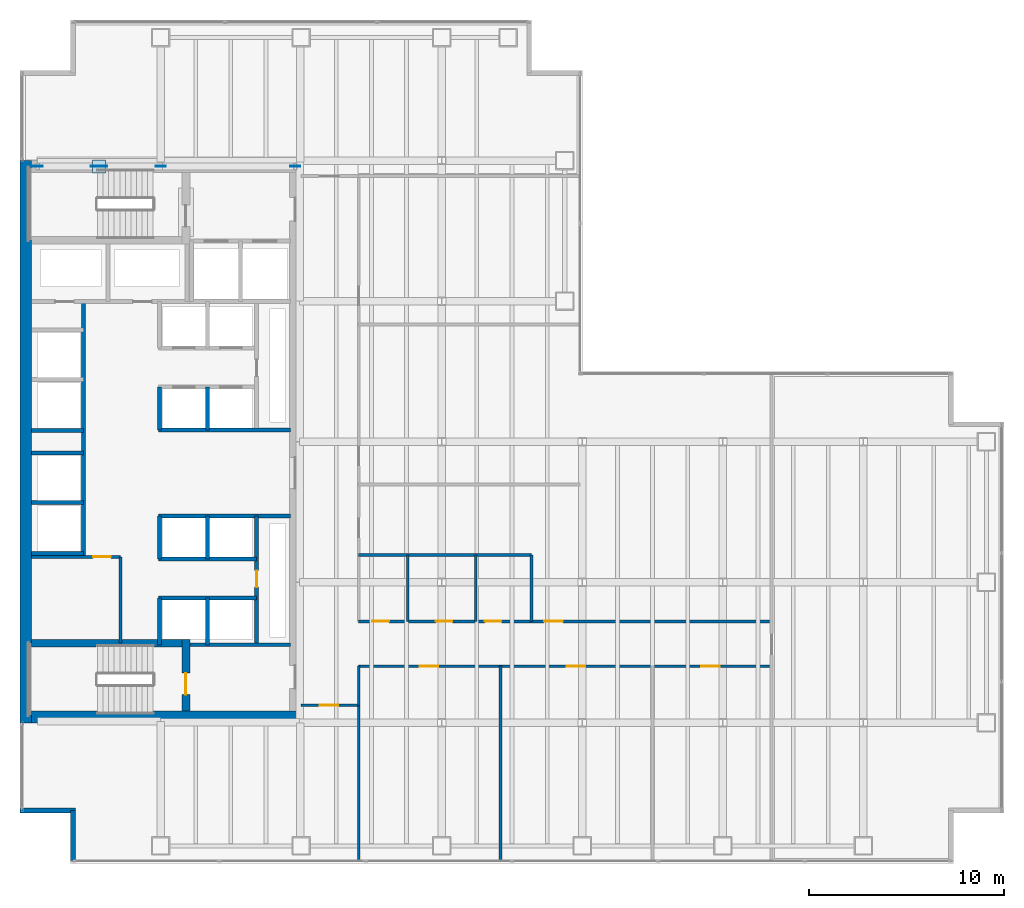
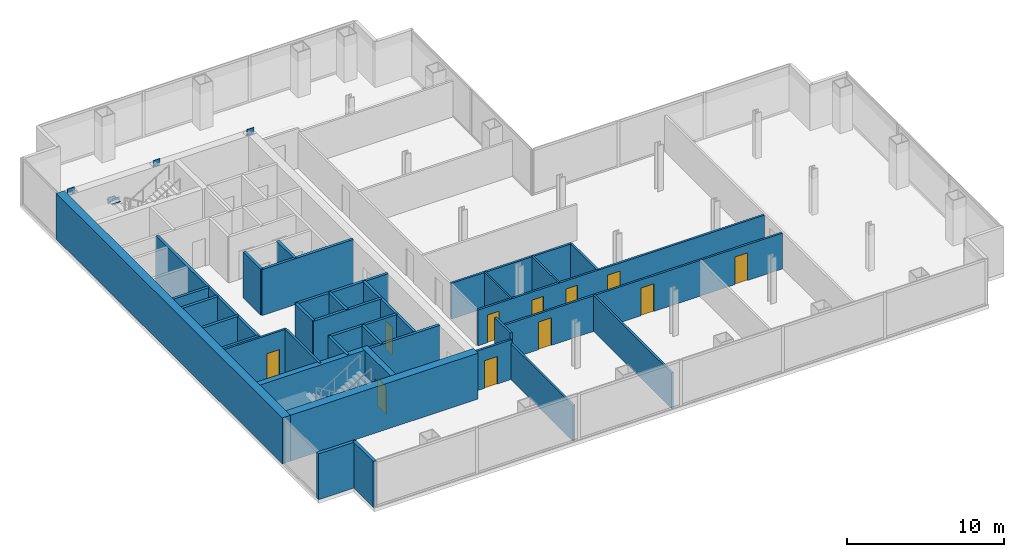
# One storey, part 20 of 24: 35 walls, 11 doors, 6 plates, 11 openings.
"""IFC4 building model written with IfcOpenShell, lengths in metres."""

from ifc_helpers import new_model, si_unit, direction, frame, frame_2d, origin, origin_2d, place, context, subcontext, project, spatial, rectangle, extrude, material, layer, layer_set, type_object, element, fill, save


model = new_model("IFC4")

# Units and contexts
model_context = context("Model", 3, precision=1e-05, world=origin(), true_north=direction((0.0, 1.0)))
body_context = subcontext(model_context, "Body", "Model", "MODEL_VIEW")
ifc_project = project(units=[si_unit("LENGTHUNIT", "METRE"), si_unit("AREAUNIT", "SQUARE_METRE"), si_unit("VOLUMEUNIT", "CUBIC_METRE"), si_unit("PLANEANGLEUNIT", "RADIAN"), si_unit("MASSUNIT", "GRAM", prefix="KILO")], contexts=[model_context])

# Site, building, storey
site_placement = place(None, origin())
site = spatial("IfcSite", under=ifc_project, at=site_placement, CompositionType="ELEMENT")
building_placement = place(site_placement, origin())
building = spatial("IfcBuilding", under=site, at=building_placement, Name="Cobrela Telecom Tower", CompositionType="ELEMENT")
storey_placement = place(building_placement, frame((0.0, 0.0, 85.050048828125)))
storey = spatial("IfcBuildingStorey", under=building, at=storey_placement, Name="L21", CompositionType="ELEMENT", Elevation=85.050048828125)

# Plates
ifc_material_1 = material(Name="Steel ASTM A572 Grade 50", Category="steel")
ifc_layer_1 = layer(ifc_material_1, 0.0419921875)
ifc_layer_set_1 = layer_set([ifc_layer_1], Name="Steel ASTM A572 Grade 50")
plate_type = type_object("IfcPlateType", Name="PLT-NODE-ND1", PredefinedType="USERDEFINED", material=ifc_layer_set_1)
for number, where, z_axis, x_axis, name in (
    (1, (7.199951171875, 35.699951171875, 3.35498046875), (0.0, 0.0, 1.0), (1.0, 0.0, 0.0), "Steel node plate PLT-MBR-EXO-L21-N1-A-1"),
    (2, (4.219482421875, 35.699951171875, 1.431640625), (0.0, 0.0, 1.0), (-1.0, 0.0, 0.0), "Steel node plate PLT-MBR-EXO-L21-N1-B1-1"),
    (3, (3.88037109375, 35.699951171875, 1.62841796875), (0.0, 0.0, 1.0), (-1.0, 0.0, 0.0), "Steel node plate PLT-MBR-EXO-L21-N1-B2-0"),
    (4, (0.89990234375, 35.699951171875, 3.35498046875), (0.0, 0.0, 1.0), (-1.0, 0.0, 0.0), "Steel node plate PLT-MBR-EXO-L21-N1-B2-1"),
):
    element("IfcPlate", number, at=place(storey_placement, frame(where, z_axis=z_axis, x_axis=x_axis)), inside=storey, type_object=plate_type, Name=name, ObjectType="GUSSET PLATE", PredefinedType="USERDEFINED", context=body_context, shape_type="SweptSolid", body=[
        extrude(rectangle(XDim=0.510009765625, YDim=0.044921875, at=origin_2d()), origin(), (0.0, 0.0, 1.0), 0.510009765625),
    ])
plate_1_placement = place(storey_placement, frame((4.050048828125, 35.699951171875, 1.762451171875), z_axis=(0.0, 0.0, 1.0), x_axis=(1.0, 0.0, 0.0)))
element("IfcPlate", 5, at=plate_1_placement, inside=storey, type_object=plate_type, Name="L21 Core Flange Steel X-Brace Central X-Crossing Gusset Plate", ObjectType="GUSSET PLATE", PredefinedType="USERDEFINED", context=body_context, shape_type="SweptSolid", body=[
    extrude(rectangle(XDim=0.64990234375, YDim=0.64990234375, at=origin_2d()), origin(), (0.0, 0.0, 1.0), 0.044921875),
])
plate_2_placement = place(storey_placement, frame((14.10009765625, 35.699951171875, 3.35498046875), z_axis=(0.0, 0.0, 1.0), x_axis=(1.0, 0.0, 0.0)))
element("IfcPlate", 6, at=plate_2_placement, inside=storey, type_object=plate_type, Name="Steel node plate PLT-MBR-EXO-L21-N2-1", ObjectType="GUSSET PLATE", PredefinedType="USERDEFINED", context=body_context, shape_type="SweptSolid", body=[
    extrude(rectangle(XDim=0.510009765625, YDim=0.044921875, at=origin_2d()), origin(), (0.0, 0.0, 1.0), 0.510009765625),
])

# Walls
ifc_material_2 = material(Name="Concrete C50/60", Category="concrete")
ifc_layer_2 = layer(ifc_material_2, 0.60009765625)
ifc_layer_set_2 = layer_set([ifc_layer_2], Name="Concrete C50/60")
wall_type_1 = type_object("IfcWallType", Name="WALL-CORE-C50-600", PredefinedType="SHEAR", material=ifc_layer_set_2)
wall_1_placement = place(storey_placement, frame((0.300048828125, 7.199951171875, 0.0), z_axis=(0.0, 0.0, 1.0), x_axis=(0.0, 1.0, 0.0)))
element("IfcWall", 7, at=wall_1_placement, inside=storey, type_object=wall_type_1, Name="L21 West Core Shear Wall", PredefinedType="SHEAR", context=body_context, shape_type="SweptSolid", body=[
    extrude(rectangle(XDim=28.800048828125, YDim=0.60009765625, at=frame_2d((14.39990234375, 0.0))), origin(), (0.0, 0.0, 1.0), 3.570068359375),
])
wall_2_placement = place(storey_placement, frame((0.60009765625, 7.5, 0.0), z_axis=(0.0, 0.0, 1.0), x_axis=(1.0, 0.0, 0.0)))
element("IfcWall", 8, at=wall_2_placement, inside=storey, type_object=wall_type_1, Name="L21 South Core Shear Wall", PredefinedType="SHEAR", context=body_context, shape_type="SweptSolid", body=[
    extrude(rectangle(XDim=13.7998046875, YDim=0.60009765625, at=frame_2d((6.89990234375, 0.0))), origin(), (0.0, 0.0, 1.0), 3.570068359375),
])
ifc_material_3 = material(Name="Concrete C40/50", Category="concrete")
ifc_layer_3 = layer(ifc_material_3, 0.239990234375)
ifc_layer_set_3 = layer_set([ifc_layer_3], Name="Concrete C40/50")
wall_type_2 = type_object("IfcWallType", Name="WALL-EXT-300", PredefinedType="STANDARD", material=ifc_layer_set_3)
wall_3_placement = place(storey_placement, frame((2.7099609375, 0.1201171875, 0.0), z_axis=(0.0, 0.0, 1.0), x_axis=(0.0, 1.0, 0.0)))
element("IfcWall", 9, at=wall_3_placement, inside=storey, type_object=wall_type_2, Name="L21 Insulated Facade Wall 01", PredefinedType="STANDARD", context=body_context, shape_type="SweptSolid", body=[
    extrude(rectangle(XDim=2.58984375, YDim=0.239990234375, at=frame_2d((1.294921875, 0.0))), origin(), (0.0, 0.0, 1.0), 3.570068359375),
])
wall_4_placement = place(storey_placement, frame((2.830078125, 2.7099609375, 0.0), z_axis=(0.0, 0.0, 1.0), x_axis=(-1.0, 0.0, 0.0)))
element("IfcWall", 10, at=wall_4_placement, inside=storey, type_object=wall_type_2, Name="L21 Insulated Facade Wall 02", PredefinedType="STANDARD", context=body_context, shape_type="SweptSolid", body=[
    extrude(rectangle(XDim=2.830078125, YDim=0.239990234375, at=frame_2d((1.4150390625, 0.0))), origin(), (0.0, 0.0, 1.0), 3.570068359375),
])
ifc_material_4 = material(Name="Fire-Rated Gypsum Plasterboard")
ifc_layer_4 = layer(ifc_material_4, 0.125)
ifc_layer_set_4 = layer_set([ifc_layer_4], Name="Fire-Rated Gypsum Plasterboard")
wall_type_3 = type_object("IfcWallType", Name="WALL-PART-125", PredefinedType="PARTITIONING", material=ifc_layer_set_4)
for number, where, z_axis, x_axis, name in (
    (11, (19.85009765625, 12.39990234375, 0.0), (0.0, 0.0, 1.0), (0.0, 1.0, 0.0), "L21 Interior Partition W-WCV-1"),
    (12, (23.35009765625, 12.39990234375, 0.0), (0.0, 0.0, 1.0), (0.0, 1.0, 0.0), "L21 Interior Partition W-WCV-2"),
):
    element("IfcWall", number, at=place(storey_placement, frame(where, z_axis=z_axis, x_axis=x_axis)), inside=storey, type_object=wall_type_3, Name=name, PredefinedType="PARTITIONING", context=body_context, shape_type="SweptSolid", body=[
        extrude(rectangle(XDim=3.400146484375, YDim=0.125, at=frame_2d((1.7001953125, 0.0))), origin(), (0.0, 0.0, 1.0), 2.782958984375),
    ])

# Wall, opening, door
ifc_layer_5 = layer(ifc_material_4, 0.14990234375)
ifc_layer_set_5 = layer_set([ifc_layer_5], Name="Fire-Rated Gypsum Plasterboard")
wall_type_4 = type_object("IfcWallType", Name="WALL-PART-150", PredefinedType="PARTITIONING", material=ifc_layer_set_5)
wall_5_placement = place(storey_placement, frame((0.60009765625, 15.699951171875, 0.0), z_axis=(0.0, 0.0, 1.0), x_axis=(1.0, 0.0, 0.0)))
wall_5 = element("IfcWall", 13, at=wall_5_placement, inside=storey, type_object=wall_type_4, Name="L21 Interior Partition CW-FLEX-N", PredefinedType="PARTITIONING", context=body_context, shape_type="SweptSolid", body=[
    extrude(rectangle(XDim=4.5498046875, YDim=0.14990234375, at=frame_2d((2.27490234375, 0.0))), origin(), (0.0, 0.0, 1.0), 3.570068359375),
])
opening_1_placement = place(wall_5_placement, frame((3.14990234375, 0.0, 0.0)))
opening_1 = element("IfcOpeningElement", 14, at=opening_1_placement, cuts=wall_5, Name="Opening DR-41", PredefinedType="OPENING", context=body_context, shape_type="SweptSolid", body=[
    extrude(rectangle(XDim=0.89990234375, YDim=2.14990234375, at=frame_2d((0.449951171875, 1.074951171875))), frame((0.0, 0.0869140625, 0.0), z_axis=(0.0, -1.0, 0.0), x_axis=(1.0, 0.0, 0.0)), (0.0, 0.0, 1.0), 0.173828125),
])
ifc_material_5 = material(Name="Solid Engineered Oak Timber", Category="wood")
door_type_1 = type_object("IfcDoorType", Name="DOOR-INT-900", OperationType="SINGLE_SWING_LEFT", PredefinedType="DOOR", material=ifc_material_5)
door_1_placement = place(opening_1_placement, origin())
door_1 = element("IfcDoor", 15, at=door_1_placement, inside=storey, type_object=door_type_1, Name="L21 Door DR-41", OperationType="SINGLE_SWING_LEFT", OverallHeight=2.14990234375, OverallWidth=0.89990234375, PredefinedType="DOOR", context=body_context, shape_type="SweptSolid", body=[
    extrude(rectangle(XDim=0.89990234375, YDim=2.14990234375, at=frame_2d((0.449951171875, 1.074951171875))), frame((0.0, 0.02490234375, 0.0), z_axis=(0.0, -1.0, 0.0), x_axis=(1.0, 0.0, 0.0)), (0.0, 0.0, 1.0), 0.050048828125),
])
fill(opening_1, door_1)

# Wall
wall_6_placement = place(storey_placement, frame((5.14990234375, 11.280029296875, 0.0), z_axis=(0.0, 0.0, 1.0), x_axis=(0.0, 1.0, 0.0)))
element("IfcWall", 16, at=wall_6_placement, inside=storey, type_object=wall_type_4, Name="L21 Interior Partition CW-FLEX-E", PredefinedType="PARTITIONING", context=body_context, shape_type="SweptSolid", body=[
    extrude(rectangle(XDim=4.419921875, YDim=0.14990234375, at=frame_2d((2.2099609375, 0.0))), origin(), (0.0, 0.0, 1.0), 3.570068359375),
])

# Wall, opening, door
wall_7_placement = place(storey_placement, frame((14.39990234375, 8.10009765625, 0.0), z_axis=(0.0, 0.0, 1.0), x_axis=(1.0, 0.0, 0.0)))
wall_7 = element("IfcWall", 17, at=wall_7_placement, inside=storey, type_object=wall_type_4, Name="L21 Interior Partition W-C-S0", PredefinedType="PARTITIONING", context=body_context, shape_type="SweptSolid", body=[
    extrude(rectangle(XDim=2.9501953125, YDim=0.14990234375, at=frame_2d((1.47509765625, 0.0))), origin(), (0.0, 0.0, 1.0), 3.087890625),
])
opening_2_placement = place(wall_7_placement, frame((0.949951171875, 0.0, 0.0)))
opening_2 = element("IfcOpeningElement", 18, at=opening_2_placement, cuts=wall_7, Name="Opening DR-67", PredefinedType="OPENING", context=body_context, shape_type="SweptSolid", body=[
    extrude(rectangle(XDim=0.949951171875, YDim=2.14990234375, at=frame_2d((0.47509765625, 1.074951171875))), frame((0.0, 0.0869140625, 0.0), z_axis=(0.0, -1.0, 0.0), x_axis=(1.0, 0.0, 0.0)), (0.0, 0.0, 1.0), 0.173828125),
])
door_type_2 = type_object("IfcDoorType", Name="DOOR-INT-950", OperationType="SINGLE_SWING_LEFT", PredefinedType="DOOR", material=ifc_material_5)
door_2_placement = place(opening_2_placement, origin())
door_2 = element("IfcDoor", 19, at=door_2_placement, inside=storey, type_object=door_type_2, Name="L21 Door DR-67", OperationType="SINGLE_SWING_RIGHT", OverallHeight=2.14990234375, OverallWidth=0.949951171875, PredefinedType="DOOR", context=body_context, shape_type="SweptSolid", body=[
    extrude(rectangle(XDim=0.949951171875, YDim=2.14990234375, at=frame_2d((0.47509765625, 1.074951171875))), frame((0.0, 0.02490234375, 0.0), z_axis=(0.0, -1.0, 0.0), x_axis=(1.0, 0.0, 0.0)), (0.0, 0.0, 1.0), 0.050048828125),
])
fill(opening_2, door_2)

# Wall
wall_8_placement = place(storey_placement, frame((17.35009765625, 8.10009765625, 0.0), z_axis=(0.0, 0.0, 1.0), x_axis=(0.0, 1.0, 0.0)))
element("IfcWall", 20, at=wall_8_placement, inside=storey, type_object=wall_type_4, Name="L21 Interior Partition W-C-E1", PredefinedType="PARTITIONING", context=body_context, shape_type="SweptSolid", body=[
    extrude(rectangle(XDim=2.0, YDim=0.14990234375, at=frame_2d((1.0, 0.0))), origin(), (0.0, 0.0, 1.0), 3.570068359375),
])

# Wall, openings, doors
wall_9_placement = place(storey_placement, frame((17.35009765625, 10.10009765625, 0.0), z_axis=(0.0, 0.0, 1.0), x_axis=(1.0, 0.0, 0.0)))
wall_9 = element("IfcWall", 21, at=wall_9_placement, inside=storey, type_object=wall_type_4, Name="L21 Interior Partition W-C-HS", PredefinedType="PARTITIONING", context=body_context, shape_type="SweptSolid", body=[
    extrude(rectangle(XDim=21.0498046875, YDim=0.14990234375, at=frame_2d((10.52490234375, 0.0))), origin(), (0.0, 0.0, 1.0), 2.782958984375),
])
opening_3_placement = place(wall_9_placement, frame((3.1201171875, 0.0, 0.0)))
opening_3 = element("IfcOpeningElement", 22, at=opening_3_placement, cuts=wall_9, Name="Opening DR-67", PredefinedType="OPENING", context=body_context, shape_type="SweptSolid", body=[
    extrude(rectangle(XDim=0.949951171875, YDim=2.14990234375, at=frame_2d((0.47509765625, 1.074951171875))), frame((0.0, 0.0869140625, 0.0), z_axis=(0.0, -1.0, 0.0), x_axis=(1.0, 0.0, 0.0)), (0.0, 0.0, 1.0), 0.173828125),
])
opening_4_placement = place(wall_9_placement, frame((10.64990234375, 0.0, 0.0)))
opening_4 = element("IfcOpeningElement", 23, at=opening_4_placement, cuts=wall_9, Name="Opening DR-67", PredefinedType="OPENING", context=body_context, shape_type="SweptSolid", body=[
    extrude(rectangle(XDim=0.949951171875, YDim=2.14990234375, at=frame_2d((0.47509765625, 1.074951171875))), frame((0.0, 0.0869140625, 0.0), z_axis=(0.0, -1.0, 0.0), x_axis=(1.0, 0.0, 0.0)), (0.0, 0.0, 1.0), 0.173828125),
])
opening_5_placement = place(wall_9_placement, frame((17.550048828125, 0.0, 0.0)))
opening_5 = element("IfcOpeningElement", 24, at=opening_5_placement, cuts=wall_9, Name="Opening DR-67", PredefinedType="OPENING", context=body_context, shape_type="SweptSolid", body=[
    extrude(rectangle(XDim=0.949951171875, YDim=2.14990234375, at=frame_2d((0.47509765625, 1.074951171875))), frame((0.0, 0.0869140625, 0.0), z_axis=(0.0, -1.0, 0.0), x_axis=(1.0, 0.0, 0.0)), (0.0, 0.0, 1.0), 0.173828125),
])
door_3_placement = place(opening_3_placement, origin())
door_3 = element("IfcDoor", 25, at=door_3_placement, inside=storey, type_object=door_type_2, Name="L21 Door DR-67", OperationType="SINGLE_SWING_LEFT", OverallHeight=2.14990234375, OverallWidth=0.949951171875, PredefinedType="DOOR", context=body_context, shape_type="SweptSolid", body=[
    extrude(rectangle(XDim=0.949951171875, YDim=2.14990234375, at=frame_2d((0.47509765625, 1.074951171875))), frame((0.0, 0.02490234375, 0.0), z_axis=(0.0, -1.0, 0.0), x_axis=(1.0, 0.0, 0.0)), (0.0, 0.0, 1.0), 0.050048828125),
])
fill(opening_3, door_3)
door_4_placement = place(opening_4_placement, origin())
door_4 = element("IfcDoor", 26, at=door_4_placement, inside=storey, type_object=door_type_2, Name="L21 Door DR-67", OperationType="SINGLE_SWING_RIGHT", OverallHeight=2.14990234375, OverallWidth=0.949951171875, PredefinedType="DOOR", context=body_context, shape_type="SweptSolid", body=[
    extrude(rectangle(XDim=0.949951171875, YDim=2.14990234375, at=frame_2d((0.47509765625, 1.074951171875))), frame((0.0, 0.02490234375, 0.0), z_axis=(0.0, -1.0, 0.0), x_axis=(1.0, 0.0, 0.0)), (0.0, 0.0, 1.0), 0.050048828125),
])
fill(opening_4, door_4)
door_5_placement = place(opening_5_placement, origin())
door_5 = element("IfcDoor", 27, at=door_5_placement, inside=storey, type_object=door_type_2, Name="L21 Door DR-67", OperationType="SINGLE_SWING_LEFT", OverallHeight=2.14990234375, OverallWidth=0.949951171875, PredefinedType="DOOR", context=body_context, shape_type="SweptSolid", body=[
    extrude(rectangle(XDim=0.949951171875, YDim=2.14990234375, at=frame_2d((0.47509765625, 1.074951171875))), frame((0.0, 0.02490234375, 0.0), z_axis=(0.0, -1.0, 0.0), x_axis=(1.0, 0.0, 0.0)), (0.0, 0.0, 1.0), 0.050048828125),
])
fill(opening_5, door_5)

wall_10_placement = place(storey_placement, frame((17.35009765625, 12.39990234375, 0.0), z_axis=(0.0, 0.0, 1.0), x_axis=(1.0, 0.0, 0.0)))
wall_10 = element("IfcWall", 28, at=wall_10_placement, inside=storey, type_object=wall_type_4, Name="L21 Interior Partition W-C-HN", PredefinedType="PARTITIONING", context=body_context, shape_type="SweptSolid", body=[
    extrude(rectangle(XDim=21.0498046875, YDim=0.14990234375, at=frame_2d((10.52490234375, 0.0))), origin(), (0.0, 0.0, 1.0), 2.782958984375),
])
opening_6_placement = place(wall_10_placement, frame((0.699951171875, 0.0, 0.0)))
opening_6 = element("IfcOpeningElement", 29, at=opening_6_placement, cuts=wall_10, Name="Opening DR-11", PredefinedType="OPENING", context=body_context, shape_type="SweptSolid", body=[
    extrude(rectangle(XDim=0.85009765625, YDim=2.14990234375, at=frame_2d((0.425048828125, 1.074951171875))), frame((0.0, 0.0869140625, 0.0), z_axis=(0.0, -1.0, 0.0), x_axis=(1.0, 0.0, 0.0)), (0.0, 0.0, 1.0), 0.173828125),
])
opening_7_placement = place(wall_10_placement, frame((3.949951171875, 0.0, 0.0)))
opening_7 = element("IfcOpeningElement", 30, at=opening_7_placement, cuts=wall_10, Name="Opening DR-11", PredefinedType="OPENING", context=body_context, shape_type="SweptSolid", body=[
    extrude(rectangle(XDim=0.85009765625, YDim=2.14990234375, at=frame_2d((0.425048828125, 1.074951171875))), frame((0.0, 0.0869140625, 0.0), z_axis=(0.0, -1.0, 0.0), x_axis=(1.0, 0.0, 0.0)), (0.0, 0.0, 1.0), 0.173828125),
])
opening_8_placement = place(wall_10_placement, frame((6.4599609375, 0.0, 0.0)))
opening_8 = element("IfcOpeningElement", 31, at=opening_8_placement, cuts=wall_10, Name="Opening DR-11", PredefinedType="OPENING", context=body_context, shape_type="SweptSolid", body=[
    extrude(rectangle(XDim=0.85009765625, YDim=2.14990234375, at=frame_2d((0.425048828125, 1.074951171875))), frame((0.0, 0.0869140625, 0.0), z_axis=(0.0, -1.0, 0.0), x_axis=(1.0, 0.0, 0.0)), (0.0, 0.0, 1.0), 0.173828125),
])
opening_9_placement = place(wall_10_placement, frame((9.5, 0.0, 0.0)))
opening_9 = element("IfcOpeningElement", 32, at=opening_9_placement, cuts=wall_10, Name="Opening DR-67", PredefinedType="OPENING", context=body_context, shape_type="SweptSolid", body=[
    extrude(rectangle(XDim=0.949951171875, YDim=2.14990234375, at=frame_2d((0.47509765625, 1.074951171875))), frame((0.0, 0.0869140625, 0.0), z_axis=(0.0, -1.0, 0.0), x_axis=(1.0, 0.0, 0.0)), (0.0, 0.0, 1.0), 0.173828125),
])
door_type_3 = type_object("IfcDoorType", Name="DOOR-INT-850", OperationType="SINGLE_SWING_LEFT", PredefinedType="DOOR", material=ifc_material_5)
door_6_placement = place(opening_6_placement, origin())
door_6 = element("IfcDoor", 33, at=door_6_placement, inside=storey, type_object=door_type_3, Name="L21 Door DR-11", OperationType="SINGLE_SWING_LEFT", OverallHeight=2.14990234375, OverallWidth=0.85009765625, PredefinedType="DOOR", context=body_context, shape_type="SweptSolid", body=[
    extrude(rectangle(XDim=0.85009765625, YDim=2.14990234375, at=frame_2d((0.425048828125, 1.074951171875))), frame((0.0, 0.02490234375, 0.0), z_axis=(0.0, -1.0, 0.0), x_axis=(1.0, 0.0, 0.0)), (0.0, 0.0, 1.0), 0.050048828125),
])
fill(opening_6, door_6)
door_7_placement = place(opening_7_placement, origin())
door_7 = element("IfcDoor", 34, at=door_7_placement, inside=storey, type_object=door_type_3, Name="L21 Door DR-11", OperationType="SINGLE_SWING_RIGHT", OverallHeight=2.14990234375, OverallWidth=0.85009765625, PredefinedType="DOOR", context=body_context, shape_type="SweptSolid", body=[
    extrude(rectangle(XDim=0.85009765625, YDim=2.14990234375, at=frame_2d((0.425048828125, 1.074951171875))), frame((0.0, 0.02490234375, 0.0), z_axis=(0.0, -1.0, 0.0), x_axis=(1.0, 0.0, 0.0)), (0.0, 0.0, 1.0), 0.050048828125),
])
fill(opening_7, door_7)
door_8_placement = place(opening_8_placement, origin())
door_8 = element("IfcDoor", 35, at=door_8_placement, inside=storey, type_object=door_type_3, Name="L21 Door DR-11", OperationType="SINGLE_SWING_LEFT", OverallHeight=2.14990234375, OverallWidth=0.85009765625, PredefinedType="DOOR", context=body_context, shape_type="SweptSolid", body=[
    extrude(rectangle(XDim=0.85009765625, YDim=2.14990234375, at=frame_2d((0.425048828125, 1.074951171875))), frame((0.0, 0.02490234375, 0.0), z_axis=(0.0, -1.0, 0.0), x_axis=(1.0, 0.0, 0.0)), (0.0, 0.0, 1.0), 0.050048828125),
])
fill(opening_8, door_8)
door_9_placement = place(opening_9_placement, origin())
door_9 = element("IfcDoor", 36, at=door_9_placement, inside=storey, type_object=door_type_2, Name="L21 Door DR-67", OperationType="SINGLE_SWING_RIGHT", OverallHeight=2.14990234375, OverallWidth=0.949951171875, PredefinedType="DOOR", context=body_context, shape_type="SweptSolid", body=[
    extrude(rectangle(XDim=0.949951171875, YDim=2.14990234375, at=frame_2d((0.47509765625, 1.074951171875))), frame((0.0, 0.02490234375, 0.0), z_axis=(0.0, -1.0, 0.0), x_axis=(1.0, 0.0, 0.0)), (0.0, 0.0, 1.0), 0.050048828125),
])
fill(opening_9, door_9)

# Walls
wall_11_placement = place(storey_placement, frame((17.35009765625, 15.800048828125, 0.0), z_axis=(0.0, 0.0, 1.0), x_axis=(1.0, 0.0, 0.0)))
element("IfcWall", 37, at=wall_11_placement, inside=storey, type_object=wall_type_4, Name="L21 Interior Partition W-WC-N", PredefinedType="PARTITIONING", context=body_context, shape_type="SweptSolid", body=[
    extrude(rectangle(XDim=8.849853515625, YDim=0.14990234375, at=frame_2d((4.4248046875, 0.0))), origin(), (0.0, 0.0, 1.0), 2.782958984375),
])
wall_12_placement = place(storey_placement, frame((26.199951171875, 12.39990234375, 0.0), z_axis=(0.0, 0.0, 1.0), x_axis=(0.0, 1.0, 0.0)))
element("IfcWall", 38, at=wall_12_placement, inside=storey, type_object=wall_type_4, Name="L21 Interior Partition W-WC-R", PredefinedType="PARTITIONING", context=body_context, shape_type="SweptSolid", body=[
    extrude(rectangle(XDim=3.400146484375, YDim=0.14990234375, at=frame_2d((1.7001953125, 0.0))), origin(), (0.0, 0.0, 1.0), 2.782958984375),
])
wall_13_placement = place(storey_placement, frame((17.35009765625, 0.1201171875, 0.0), z_axis=(0.0, 0.0, 1.0), x_axis=(0.0, 1.0, 0.0)))
element("IfcWall", 39, at=wall_13_placement, inside=storey, type_object=wall_type_4, Name="L21 Interior Partition W-SW-E", PredefinedType="PARTITIONING", context=body_context, shape_type="SweptSolid", body=[
    extrude(rectangle(XDim=7.97998046875, YDim=0.14990234375, at=frame_2d((3.989990234375, 0.0))), origin(), (0.0, 0.0, 1.0), 2.782958984375),
])
wall_14_placement = place(storey_placement, frame((24.60009765625, 0.1201171875, 0.0), z_axis=(0.0, 0.0, 1.0), x_axis=(0.0, 1.0, 0.0)))
element("IfcWall", 40, at=wall_14_placement, inside=storey, type_object=wall_type_4, Name="L21 Interior Partition W-SV-1", PredefinedType="PARTITIONING", context=body_context, shape_type="SweptSolid", body=[
    extrude(rectangle(XDim=9.97998046875, YDim=0.14990234375, at=frame_2d((4.989990234375, 0.0))), origin(), (0.0, 0.0, 1.0), 2.782958984375),
])
ifc_layer_6 = layer(ifc_material_4, 0.199951171875)
ifc_layer_set_6 = layer_set([ifc_layer_6], Name="Fire-Rated Gypsum Plasterboard")
wall_type_5 = type_object("IfcWallType", Name="WALL-SHAFT-200", PredefinedType="PARTITIONING", material=ifc_layer_set_6)
wall_15_placement = place(storey_placement, frame((8.699951171875, 11.199951171875, 0.0), z_axis=(0.0, 0.0, 1.0), x_axis=(1.0, 0.0, 0.0)))
element("IfcWall", 41, at=wall_15_placement, inside=storey, type_object=wall_type_5, Name="L21 Shaft Enclosure CW-ST2L-N", PredefinedType="PARTITIONING", context=body_context, shape_type="SweptSolid", body=[
    extrude(rectangle(XDim=5.150146484375, YDim=0.199951171875, at=frame_2d((2.5751953125, 0.0))), origin(), (0.0, 0.0, 1.0), 3.570068359375),
])
wall_16_placement = place(storey_placement, frame((3.25, 15.699951171875, 0.0), z_axis=(0.0, 0.0, 1.0), x_axis=(0.0, 1.0, 0.0)))
element("IfcWall", 42, at=wall_16_placement, inside=storey, type_object=wall_type_5, Name="L21 Shaft Enclosure CW-PLH-E", PredefinedType="PARTITIONING", context=body_context, shape_type="SweptSolid", body=[
    extrude(rectangle(XDim=13.080078125, YDim=0.199951171875, at=frame_2d((6.5400390625, 0.0))), origin(), (0.0, 0.0, 1.0), 3.570068359375),
])
for number, where, z_axis, x_axis, name in (
    (43, (0.60009765625, 15.8798828125, 0.0), (0.0, 0.0, 1.0), (1.0, 0.0, 0.0), "L21 Shaft Enclosure CW-PLH-D9"),
    (44, (0.60009765625, 18.47998046875, 0.0), (0.0, 0.0, 1.0), (1.0, 0.0, 0.0), "L21 Shaft Enclosure CW-PLH-D10"),
    (45, (0.60009765625, 22.179931640625, 0.0), (0.0, 0.0, 1.0), (1.0, 0.0, 0.0), "L21 Shaft Enclosure CW-PLH-D11"),
    (46, (0.60009765625, 21.02001953125, 0.0), (0.0, 0.0, 1.0), (1.0, 0.0, 0.0), "L21 Shaft Enclosure CW-PLH-MID"),
):
    element("IfcWall", number, at=place(storey_placement, frame(where, z_axis=z_axis, x_axis=x_axis)), inside=storey, type_object=wall_type_5, Name=name, PredefinedType="PARTITIONING", context=body_context, shape_type="SweptSolid", body=[
        extrude(rectangle(XDim=2.64990234375, YDim=0.199951171875, at=frame_2d((1.324951171875, 0.0))), origin(), (0.0, 0.0, 1.0), 3.570068359375),
    ])
wall_17_placement = place(storey_placement, frame((7.10009765625, 22.199951171875, 0.0), z_axis=(0.0, 0.0, 1.0), x_axis=(1.0, 0.0, 0.0)))
element("IfcWall", 47, at=wall_17_placement, inside=storey, type_object=wall_type_5, Name="L21 Shaft Enclosure CW-PLL-B0", PredefinedType="PARTITIONING", context=body_context, shape_type="SweptSolid", body=[
    extrude(rectangle(XDim=6.75, YDim=0.199951171875, at=frame_2d((3.375, 0.0))), origin(), (0.0, 0.0, 1.0), 3.570068359375),
])
for number, where, z_axis, x_axis, name in (
    (48, (7.14990234375, 22.199951171875, 0.0), (0.0, 0.0, 1.0), (0.0, 1.0, 0.0), "L21 Shaft Enclosure CW-PLL-V1"),
    (49, (9.60009765625, 22.199951171875, 0.0), (0.0, 0.0, 1.0), (0.0, 1.0, 0.0), "L21 Shaft Enclosure CW-PLL-V2"),
):
    element("IfcWall", number, at=place(storey_placement, frame(where, z_axis=z_axis, x_axis=x_axis)), inside=storey, type_object=wall_type_5, Name=name, PredefinedType="PARTITIONING", context=body_context, shape_type="SweptSolid", body=[
        extrude(rectangle(XDim=2.199951171875, YDim=0.199951171875, at=frame_2d((1.10009765625, 0.0))), origin(), (0.0, 0.0, 1.0), 3.570068359375),
    ])
wall_18_placement = place(storey_placement, frame((7.10009765625, 17.800048828125, 0.0), z_axis=(0.0, 0.0, 1.0), x_axis=(1.0, 0.0, 0.0)))
element("IfcWall", 50, at=wall_18_placement, inside=storey, type_object=wall_type_5, Name="L21 Shaft Enclosure CW-PLM-T0", PredefinedType="PARTITIONING", context=body_context, shape_type="SweptSolid", body=[
    extrude(rectangle(XDim=6.75, YDim=0.199951171875, at=frame_2d((3.375, 0.0))), origin(), (0.0, 0.0, 1.0), 3.570068359375),
])
for number, where, z_axis, x_axis, name in (
    (51, (7.10009765625, 15.60009765625, 0.0), (0.0, 0.0, 1.0), (1.0, 0.0, 0.0), "L21 Shaft Enclosure CW-PLM-N"),
    (52, (7.10009765625, 13.60009765625, 0.0), (0.0, 0.0, 1.0), (1.0, 0.0, 0.0), "L21 Shaft Enclosure CW-PLM-S"),
):
    element("IfcWall", number, at=place(storey_placement, frame(where, z_axis=z_axis, x_axis=x_axis)), inside=storey, type_object=wall_type_5, Name=name, PredefinedType="PARTITIONING", context=body_context, shape_type="SweptSolid", body=[
        extrude(rectangle(XDim=5.02001953125, YDim=0.199951171875, at=frame_2d((2.510009765625, 0.0))), origin(), (0.0, 0.0, 1.0), 3.570068359375),
    ])
wall_19_placement = place(storey_placement, frame((7.14990234375, 15.60009765625, 0.0), z_axis=(0.0, 0.0, 1.0), x_axis=(0.0, 1.0, 0.0)))
element("IfcWall", 53, at=wall_19_placement, inside=storey, type_object=wall_type_5, Name="L21 Shaft Enclosure CW-PLM-V1", PredefinedType="PARTITIONING", context=body_context, shape_type="SweptSolid", body=[
    extrude(rectangle(XDim=2.199951171875, YDim=0.199951171875, at=frame_2d((1.10009765625, 0.0))), origin(), (0.0, 0.0, 1.0), 3.570068359375),
])
wall_20_placement = place(storey_placement, frame((7.14990234375, 11.199951171875, 0.0), z_axis=(0.0, 0.0, 1.0), x_axis=(0.0, 1.0, 0.0)))
element("IfcWall", 54, at=wall_20_placement, inside=storey, type_object=wall_type_5, Name="L21 Shaft Enclosure CW-PLM-V1B", PredefinedType="PARTITIONING", context=body_context, shape_type="SweptSolid", body=[
    extrude(rectangle(XDim=2.400146484375, YDim=0.199951171875, at=frame_2d((1.2001953125, 0.0))), origin(), (0.0, 0.0, 1.0), 3.570068359375),
])
wall_21_placement = place(storey_placement, frame((9.60009765625, 15.60009765625, 0.0), z_axis=(0.0, 0.0, 1.0), x_axis=(0.0, 1.0, 0.0)))
element("IfcWall", 55, at=wall_21_placement, inside=storey, type_object=wall_type_5, Name="L21 Shaft Enclosure CW-PLM-V2", PredefinedType="PARTITIONING", context=body_context, shape_type="SweptSolid", body=[
    extrude(rectangle(XDim=2.199951171875, YDim=0.199951171875, at=frame_2d((1.10009765625, 0.0))), origin(), (0.0, 0.0, 1.0), 3.570068359375),
])
wall_22_placement = place(storey_placement, frame((9.60009765625, 11.199951171875, 0.0), z_axis=(0.0, 0.0, 1.0), x_axis=(0.0, 1.0, 0.0)))
element("IfcWall", 56, at=wall_22_placement, inside=storey, type_object=wall_type_5, Name="L21 Shaft Enclosure CW-PLM-V2B", PredefinedType="PARTITIONING", context=body_context, shape_type="SweptSolid", body=[
    extrude(rectangle(XDim=2.400146484375, YDim=0.199951171875, at=frame_2d((1.2001953125, 0.0))), origin(), (0.0, 0.0, 1.0), 3.570068359375),
])

# Wall, opening, door
wall_23_placement = place(storey_placement, frame((12.1201171875, 11.199951171875, 0.0), z_axis=(0.0, 0.0, 1.0), x_axis=(0.0, 1.0, 0.0)))
wall_23 = element("IfcWall", 57, at=wall_23_placement, inside=storey, type_object=wall_type_5, Name="L21 Shaft Enclosure CW-PLM-V3", PredefinedType="PARTITIONING", context=body_context, shape_type="SweptSolid", body=[
    extrude(rectangle(XDim=6.60009765625, YDim=0.199951171875, at=frame_2d((3.300048828125, 0.0))), origin(), (0.0, 0.0, 1.0), 3.570068359375),
])
opening_10_placement = place(wall_23_placement, frame((2.949951171875, 0.0, 0.0)))
opening_10 = element("IfcOpeningElement", 58, at=opening_10_placement, cuts=wall_23, Name="Opening DR-11", PredefinedType="OPENING", context=body_context, shape_type="SweptSolid", body=[
    extrude(rectangle(XDim=0.85009765625, YDim=2.14990234375, at=frame_2d((0.425048828125, 1.074951171875))), frame((0.0, 0.11181640625, 0.0), z_axis=(0.0, -1.0, 0.0), x_axis=(1.0, 0.0, 0.0)), (0.0, 0.0, 1.0), 0.223876953125),
])
door_10_placement = place(opening_10_placement, origin())
door_10 = element("IfcDoor", 59, at=door_10_placement, inside=storey, type_object=door_type_3, Name="L21 Door DR-11", OperationType="SINGLE_SWING_RIGHT", OverallHeight=2.14990234375, OverallWidth=0.85009765625, PredefinedType="DOOR", context=body_context, shape_type="SweptSolid", body=[
    extrude(rectangle(XDim=0.85009765625, YDim=2.14990234375, at=frame_2d((0.425048828125, 1.074951171875))), frame((0.0, 0.02490234375, 0.0), z_axis=(0.0, -1.0, 0.0), x_axis=(1.0, 0.0, 0.0)), (0.0, 0.0, 1.0), 0.050048828125),
])
fill(opening_10, door_10)

# Wall
ifc_layer_7 = layer(ifc_material_3, 0.39990234375)
ifc_layer_set_7 = layer_set([ifc_layer_7], Name="Concrete C40/50")
wall_type_6 = type_object("IfcWallType", Name="WALL-SHAFT-C40-400", PredefinedType="SHEAR", material=ifc_layer_set_7)
wall_24_placement = place(storey_placement, frame((0.60009765625, 11.280029296875, 0.0), z_axis=(0.0, 0.0, 1.0), x_axis=(1.0, 0.0, 0.0)))
element("IfcWall", 60, at=wall_24_placement, inside=storey, type_object=wall_type_6, Name="L21 South Stair Shear Wall", PredefinedType="SHEAR", context=body_context, shape_type="SweptSolid", body=[
    extrude(rectangle(XDim=7.699951171875, YDim=0.39990234375, at=frame_2d((3.85009765625, 0.0))), origin(), (0.0, 0.0, 1.0), 3.570068359375),
])

# Wall, opening, door
wall_25_placement = place(storey_placement, frame((8.5, 7.800048828125, 0.0), z_axis=(0.0, 0.0, 1.0), x_axis=(0.0, 1.0, 0.0)))
wall_25 = element("IfcWall", 61, at=wall_25_placement, inside=storey, type_object=wall_type_6, Name="L21 South Stair Lobby Shear Wall", PredefinedType="SHEAR", context=body_context, shape_type="SweptSolid", body=[
    extrude(rectangle(XDim=3.679931640625, YDim=0.39990234375, at=frame_2d((1.83984375, 0.0))), origin(), (0.0, 0.0, 1.0), 3.570068359375),
])
opening_11_placement = place(wall_25_placement, frame((0.85009765625, 0.0, 0.0)))
opening_11 = element("IfcOpeningElement", 62, at=opening_11_placement, cuts=wall_25, Name="Opening FD-90", PredefinedType="OPENING", context=body_context, shape_type="SweptSolid", body=[
    extrude(rectangle(XDim=1.10009765625, YDim=2.14990234375, at=frame_2d((0.550048828125, 1.074951171875))), frame((0.0, 0.2119140625, 0.0), z_axis=(0.0, -1.0, 0.0), x_axis=(1.0, 0.0, 0.0)), (0.0, 0.0, 1.0), 0.423828125),
])
ifc_material_6 = material(Name="Steel ASTM A36", Category="steel")
door_type_4 = type_object("IfcDoorType", Name="DOOR-FD90-1100", OperationType="SINGLE_SWING_LEFT", PredefinedType="DOOR", material=ifc_material_6)
door_11_placement = place(opening_11_placement, origin())
door_11 = element("IfcDoor", 63, at=door_11_placement, inside=storey, type_object=door_type_4, Name="L21 Door FD-90", OperationType="SINGLE_SWING_LEFT", OverallHeight=2.14990234375, OverallWidth=1.10009765625, PredefinedType="DOOR", context=body_context, shape_type="SweptSolid", body=[
    extrude(rectangle(XDim=1.10009765625, YDim=2.14990234375, at=frame_2d((0.550048828125, 1.074951171875))), frame((0.0, 0.02490234375, 0.0), z_axis=(0.0, -1.0, 0.0), x_axis=(1.0, 0.0, 0.0)), (0.0, 0.0, 1.0), 0.050048828125),
])
fill(opening_11, door_11)

save(model, "model.ifc")
